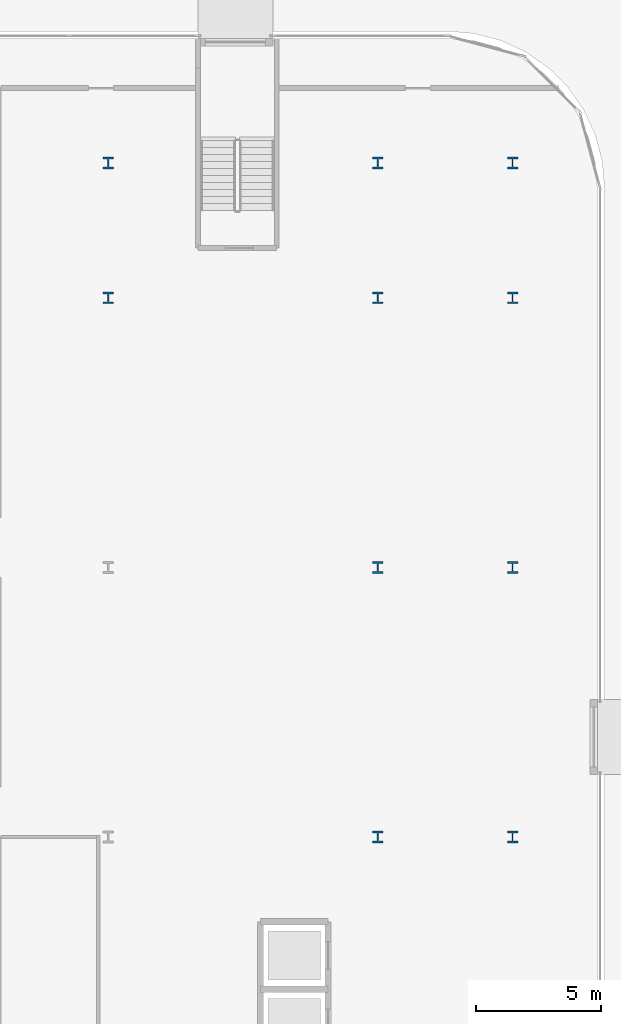
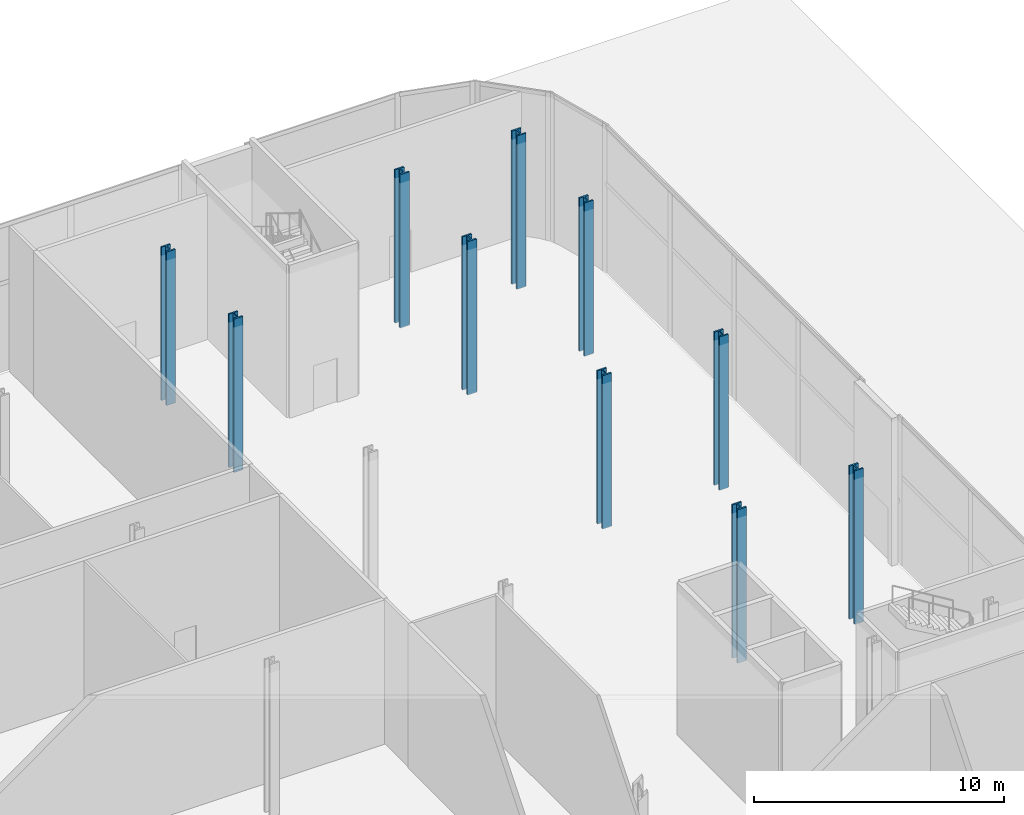
# One storey, part 4 of 46: 10 columns.
"""IFC4 building model written with IfcOpenShell, lengths in metres."""

from ifc_helpers import new_model, si_unit, direction, frame, origin, origin_2d, place, context, subcontext, project, spatial, i_section, extrude, material, material_profile, profile_set, type_object, element, save


model = new_model("IFC4")

# Units and contexts
model_context = context("Model", 3, precision=1e-05, world=origin(), true_north=direction((0.0, 1.0)))
body_context = subcontext(model_context, "Body", "Model", "MODEL_VIEW")
ifc_project = project(units=[si_unit("LENGTHUNIT", "METRE"), si_unit("AREAUNIT", "SQUARE_METRE"), si_unit("VOLUMEUNIT", "CUBIC_METRE"), si_unit("PLANEANGLEUNIT", "RADIAN"), si_unit("MASSUNIT", "GRAM", prefix="KILO")], contexts=[model_context])

# Site, building, storey
site_placement = place(None, origin())
site = spatial("IfcSite", under=ifc_project, at=site_placement, CompositionType="ELEMENT")
building_placement = place(site_placement, origin())
building = spatial("IfcBuilding", under=site, at=building_placement, Name="Kheshtan School and Residences Tower", CompositionType="ELEMENT")
storey_placement = place(building_placement, origin())
storey = spatial("IfcBuildingStorey", under=building, at=storey_placement, Name="L00", CompositionType="ELEMENT", Elevation=0.0)

# Columns
ifc_material = material(Name="Steel ASTM A992 Grade 50", Category="steel")
ifc_material_profile = material_profile(ifc_material, i_section(OverallWidth=0.424072265625, OverallDepth=0.47412109375, WebThickness=0.047607421875, FlangeThickness=0.0771484375, FilletRadius=0.01416015625, at=origin_2d()), Name="W360x634")
ifc_profile_set = profile_set([ifc_material_profile], Name="Steel ASTM A992 Grade 50")
column_type = type_object("IfcColumnType", Name="Column PC1 W360x634 ASTM A992 Grade 50", PredefinedType="COLUMN", material=ifc_profile_set)
for number, where, z_axis, x_axis, name in (
    (1, (123.199951171875, 78.0, 0.0), (0.0, 0.0, 1.0), (1.0, 0.0, 0.0), "Column P-083"),
    (2, (128.60009765625, 78.0, 0.0), (0.0, 0.0, 1.0), (1.0, 0.0, 0.0), "Column P-084"),
    (3, (123.199951171875, 88.800048828125, 0.0), (0.0, 0.0, 1.0), (1.0, 0.0, 0.0), "Column P-095"),
    (4, (128.60009765625, 88.800048828125, 0.0), (0.0, 0.0, 1.0), (1.0, 0.0, 0.0), "Column P-096"),
    (5, (112.39990234375, 99.60009765625, 0.0), (0.0, 0.0, 1.0), (1.0, 0.0, 0.0), "Column P-106"),
    (6, (123.199951171875, 99.60009765625, 0.0), (0.0, 0.0, 1.0), (1.0, 0.0, 0.0), "Column P-107"),
    (7, (128.60009765625, 99.60009765625, 0.0), (0.0, 0.0, 1.0), (1.0, 0.0, 0.0), "Column P-108"),
    (8, (112.39990234375, 105.0, 0.0), (0.0, 0.0, 1.0), (1.0, 0.0, 0.0), "Column P-118"),
    (9, (123.199951171875, 105.0, 0.0), (0.0, 0.0, 1.0), (1.0, 0.0, 0.0), "Column P-119"),
    (10, (128.60009765625, 105.0, 0.0), (0.0, 0.0, 1.0), (1.0, 0.0, 0.0), "Column P-120"),
):
    element("IfcColumn", number, at=place(storey_placement, frame(where, z_axis=z_axis, x_axis=x_axis)), inside=storey, type_object=column_type, Name=name, PredefinedType="COLUMN", context=body_context, shape_type="SweptSolid", body=[
        extrude(i_section(OverallWidth=0.424072265625, OverallDepth=0.47412109375, WebThickness=0.047607421875, FlangeThickness=0.0771484375, FilletRadius=0.01416015625, at=origin_2d()), origin(), (0.0, 0.0, 1.0), 7.5),
    ])

save(model, "model.ifc")
